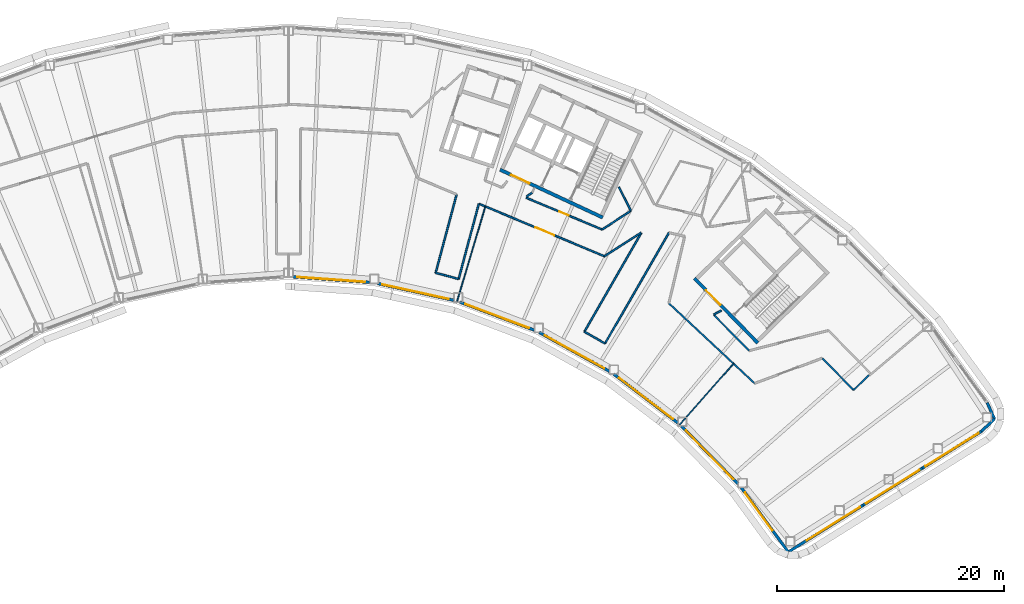
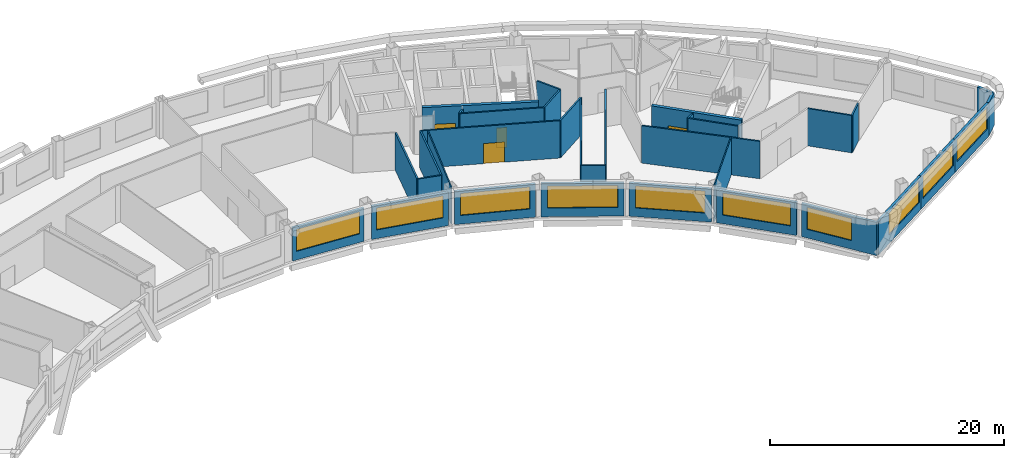
# One storey, part 7 of 16: 33 walls, 10 windows, 4 doors, 14 openings.
"""IFC4 building model written with IfcOpenShell, lengths in metres."""

from ifc_helpers import new_model, si_unit, direction, frame, frame_2d, origin, place, context, subcontext, project, spatial, rectangle, extrude, material, layer, layer_set, type_object, element, fill, save


model = new_model("IFC4")

# Units and contexts
model_context = context("Model", 3, precision=1e-05, world=origin(), true_north=direction((0.0, 1.0)))
body_context = subcontext(model_context, "Body", "Model", "MODEL_VIEW")
ifc_project = project(units=[si_unit("LENGTHUNIT", "METRE"), si_unit("AREAUNIT", "SQUARE_METRE"), si_unit("VOLUMEUNIT", "CUBIC_METRE"), si_unit("PLANEANGLEUNIT", "RADIAN"), si_unit("MASSUNIT", "GRAM", prefix="KILO")], contexts=[model_context])

# Site, building, storey
site_placement = place(None, origin())
site = spatial("IfcSite", under=ifc_project, at=site_placement, CompositionType="ELEMENT")
building_placement = place(site_placement, origin())
building = spatial("IfcBuilding", under=site, at=building_placement, Name="Tuul Gate Civic Tower", CompositionType="ELEMENT")
storey_placement = place(building_placement, frame((0.0, 0.0, 298.39990234375)))
storey = spatial("IfcBuildingStorey", under=building, at=storey_placement, Name="Level 67", CompositionType="ELEMENT", Elevation=298.39990234375)

# Wall, opening, door
ifc_material_1 = material(Name="Concrete C50/60", Category="concrete")
ifc_layer_1 = layer(ifc_material_1, 0.300048828125)
ifc_layer_set_1 = layer_set([ifc_layer_1], Name="Concrete C50/60")
wall_type_1 = type_object("IfcWallType", Name="Core wall C50/60", PredefinedType="SHEAR", material=ifc_layer_set_1)
wall_1_placement = place(storey_placement, frame((48.22509765625, -18.327880859375, 0.0), z_axis=(0.0, 0.0, 1.0), x_axis=(-0.700021979774, 0.714121297703, 0.0)))
wall_1 = element("IfcWall", 1, at=wall_1_placement, inside=storey, type_object=wall_type_1, Name="Core wall", PredefinedType="SHEAR", context=body_context, shape_type="SweptSolid", body=[
    extrude(rectangle(XDim=8.0, YDim=0.300048828125, at=frame_2d((4.0, 0.0))), origin(), (0.0, 0.0, 1.0), 3.900146484375),
])
opening_1_placement = place(wall_1_placement, frame((4.72509765625, 0.0, 0.0)))
opening_1 = element("IfcOpeningElement", 2, at=opening_1_placement, cuts=wall_1, Name="Opening LB-E1-LOBBY-1", PredefinedType="OPENING", context=body_context, shape_type="SweptSolid", body=[
    extrude(rectangle(XDim=1.800048828125, YDim=2.10009765625, at=frame_2d((0.89990234375, 1.050048828125))), frame((0.0, 0.16015625, 0.0), z_axis=(0.0, -1.0, 0.0), x_axis=(1.0, 0.0, 0.0)), (0.0, 0.0, 1.0), 0.320068359375),
])
ifc_material_2 = material(Name="Steel", Category="steel")
door_type_1 = type_object("IfcDoorType", Name="Lobby door", OperationType="DOUBLE_DOOR_SINGLE_SWING", PredefinedType="DOOR", material=ifc_material_2)
door_1_placement = place(opening_1_placement, frame((1.800048828125, 0.0, 0.0), z_axis=(0.0, 0.0, 1.0), x_axis=(-1.0, 0.0, 0.0)))
door_1 = element("IfcDoor", 3, at=door_1_placement, inside=storey, type_object=door_type_1, Name="Lobby door E1-LOBBY", OperationType="DOUBLE_DOOR_SINGLE_SWING", OverallHeight=2.10009765625, OverallWidth=1.800048828125, PredefinedType="DOOR", context=body_context, shape_type="SweptSolid", body=[
    extrude(rectangle(XDim=1.800048828125, YDim=2.10009765625, at=frame_2d((0.900146484375, 1.050048828125))), frame((0.0, 0.02490234375, 0.0), z_axis=(0.0, -1.0, 0.0), x_axis=(1.0, 0.0, 0.0)), (0.0, 0.0, 1.0), 0.050048828125),
])
fill(opening_1, door_1)

wall_2_placement = place(storey_placement, frame((34.5283203125, -7.25, 0.0), z_axis=(0.0, 0.0, 1.0), x_axis=(-0.906310338845, 0.422612789327, 0.0)))
wall_2 = element("IfcWall", 4, at=wall_2_placement, inside=storey, type_object=wall_type_1, Name="Core wall", PredefinedType="SHEAR", context=body_context, shape_type="SweptSolid", body=[
    extrude(rectangle(XDim=9.999755859375, YDim=0.300048828125, at=frame_2d((5.0, 0.0))), origin(), (0.0, 0.0, 1.0), 3.900146484375),
])
opening_2_placement = place(wall_2_placement, frame((7.125, 0.0, 0.0)))
opening_2 = element("IfcOpeningElement", 5, at=opening_2_placement, cuts=wall_2, Name="Opening LB-E3-LOBBY-1", PredefinedType="OPENING", context=body_context, shape_type="SweptSolid", body=[
    extrude(rectangle(XDim=1.800048828125, YDim=2.10009765625, at=frame_2d((0.89990234375, 1.050048828125))), frame((0.0, 0.16015625, 0.0), z_axis=(0.0, -1.0, 0.0), x_axis=(1.0, 0.0, 0.0)), (0.0, 0.0, 1.0), 0.320068359375),
])
door_2_placement = place(opening_2_placement, frame((1.800048828125, 0.0, 0.0), z_axis=(0.0, 0.0, 1.0), x_axis=(-1.0, 0.0, 0.0)))
door_2 = element("IfcDoor", 6, at=door_2_placement, inside=storey, type_object=door_type_1, Name="Lobby door E3-LOBBY", OperationType="DOUBLE_DOOR_SINGLE_SWING", OverallHeight=2.10009765625, OverallWidth=1.800048828125, PredefinedType="DOOR", context=body_context, shape_type="SweptSolid", body=[
    extrude(rectangle(XDim=1.800048828125, YDim=2.10009765625, at=frame_2d((0.900146484375, 1.050048828125))), frame((0.0, 0.02490234375, 0.0), z_axis=(0.0, -1.0, 0.0), x_axis=(1.0, 0.0, 0.0)), (0.0, 0.0, 1.0), 0.050048828125),
])
fill(opening_2, door_2)

# Walls
ifc_material_3 = material(Name="Gypsum board partition")
ifc_layer_2 = layer(ifc_material_3, 0.14990234375)
ifc_layer_set_2 = layer_set([ifc_layer_2], Name="Gypsum board partition")
wall_type_2 = type_object("IfcWallType", Name="Corridor wall P150", PredefinedType="PARTITIONING", material=ifc_layer_set_2)
wall_3_placement = place(storey_placement, frame((56.674072265625, -22.4814453125, 0.0), z_axis=(0.0, 0.0, 1.0), x_axis=(0.714103189213, 0.700040452514, 0.0)))
element("IfcWall", 7, at=wall_3_placement, inside=storey, type_object=wall_type_2, Name="p003", PredefinedType="PARTITIONING", context=body_context, shape_type="SweptSolid", body=[
    extrude(rectangle(XDim=1.892333984375, YDim=0.14990234375, at=frame_2d((0.9462890625, 0.0))), origin(), (0.0, 0.0, 1.0), 3.900146484375),
])
wall_4_placement = place(storey_placement, frame((44.332275390625, -15.8447265625, 0.0), z_axis=(0.0, 0.0, 1.0), x_axis=(0.702796621783, -0.711390826768, 0.0)))
element("IfcWall", 8, at=wall_4_placement, inside=storey, type_object=wall_type_2, Name="p006", PredefinedType="PARTITIONING", context=body_context, shape_type="SweptSolid", body=[
    extrude(rectangle(XDim=4.431640625, YDim=0.14990234375, at=frame_2d((2.2158203125, 0.0))), origin(), (0.0, 0.0, 1.0), 3.900146484375),
])
wall_5_placement = place(storey_placement, frame((44.33740234375, -15.8125, 0.0), z_axis=(0.0, 0.0, 1.0), x_axis=(0.885556049911, 0.464532541881, 0.0)))
element("IfcWall", 9, at=wall_5_placement, inside=storey, type_object=wall_type_2, Name="p007", PredefinedType="PARTITIONING", context=body_context, shape_type="SweptSolid", body=[
    extrude(rectangle(XDim=0.746337890625, YDim=0.14990234375, at=frame_2d((0.373046875, 0.0))), origin(), (0.0, 0.0, 1.0), 3.900146484375),
])

# Wall, opening, door
wall_6_placement = place(storey_placement, frame((27.77685546875, -5.503173828125, 0.0), z_axis=(0.0, 0.0, 1.0), x_axis=(0.922467775917, -0.386074089256, 0.0)))
wall_6 = element("IfcWall", 10, at=wall_6_placement, inside=storey, type_object=wall_type_2, Name="p025", PredefinedType="PARTITIONING", context=body_context, shape_type="SweptSolid", body=[
    extrude(rectangle(XDim=7.246826171875, YDim=0.14990234375, at=frame_2d((3.62353515625, 0.0))), origin(), (0.0, 0.0, 1.0), 3.900146484375),
])
opening_3_placement = place(wall_6_placement, frame((3.173583984375, 0.0, 0.0)))
opening_3 = element("IfcOpeningElement", 11, at=opening_3_placement, cuts=wall_6, Name="Opening Y-D14", PredefinedType="OPENING", context=body_context, shape_type="SweptSolid", body=[
    extrude(rectangle(XDim=0.89990234375, YDim=2.10009765625, at=frame_2d((0.449951171875, 1.050048828125))), frame((0.0, 0.0849609375, 0.0), z_axis=(0.0, -1.0, 0.0), x_axis=(1.0, 0.0, 0.0)), (0.0, 0.0, 1.0), 0.169921875),
])
ifc_material_4 = material(Name="Timber door leaf", Category="wood")
door_type_2 = type_object("IfcDoorType", Name="Door D09", OperationType="NOTDEFINED", PredefinedType="DOOR", material=ifc_material_4)
door_3_placement = place(opening_3_placement, origin())
door_3 = element("IfcDoor", 12, at=door_3_placement, inside=storey, type_object=door_type_2, Name="Door Y-D14", OperationType="SINGLE_SWING_RIGHT", OverallHeight=2.10009765625, OverallWidth=0.89990234375, PredefinedType="DOOR", context=body_context, shape_type="SweptSolid", body=[
    extrude(rectangle(XDim=0.89990234375, YDim=2.10009765625, at=frame_2d((0.449951171875, 1.050048828125))), frame((0.0, 0.02490234375, 0.0), z_axis=(0.0, -1.0, 0.0), x_axis=(1.0, 0.0, 0.0)), (0.0, 0.0, 1.0), 0.050048828125),
])
fill(opening_3, door_3)

# Walls
wall_7_placement = place(storey_placement, frame((21.8134765625, -12.67431640625, 0.0), z_axis=(0.0, 0.0, 1.0), x_axis=(0.258103384911, 0.966117302763, 0.0)))
element("IfcWall", 13, at=wall_7_placement, inside=storey, type_object=wall_type_2, Name="p026", PredefinedType="PARTITIONING", context=body_context, shape_type="SweptSolid", body=[
    extrude(rectangle(XDim=6.860595703125, YDim=0.14990234375, at=frame_2d((3.43017578125, 0.0))), origin(), (0.0, 0.0, 1.0), 3.900146484375),
])
wall_8_placement = place(storey_placement, frame((40.364501953125, -14.81640625, 0.0), z_axis=(0.0, 0.0, 1.0), x_axis=(0.731104600336, -0.682265390715, 0.0)))
element("IfcWall", 14, at=wall_8_placement, inside=storey, type_object=wall_type_2, Name="p049", PredefinedType="PARTITIONING", context=body_context, shape_type="SweptSolid", body=[
    extrude(rectangle(XDim=10.36767578125, YDim=0.14990234375, at=frame_2d((5.183837890625, 0.0))), origin(), (0.0, 0.0, 1.0), 3.900146484375),
])
wall_9_placement = place(storey_placement, frame((53.922119140625, -19.673828125, 0.0), z_axis=(0.0, 0.0, 1.0), x_axis=(0.69999193409, -0.714150748938, 0.0)))
element("IfcWall", 15, at=wall_9_placement, inside=storey, type_object=wall_type_2, Name="p051", PredefinedType="PARTITIONING", context=body_context, shape_type="SweptSolid", body=[
    extrude(rectangle(XDim=3.931396484375, YDim=0.14990234375, at=frame_2d((1.9658203125, 0.0))), origin(), (0.0, 0.0, 1.0), 3.900146484375),
])

# Wall, opening, door
wall_10_placement = place(storey_placement, frame((23.6083984375, -6.03515625, 0.0), z_axis=(0.0, 0.0, 1.0), x_axis=(0.922457832643, -0.3860978464, 0.0)))
wall_10 = element("IfcWall", 16, at=wall_10_placement, inside=storey, type_object=wall_type_2, Name="p054", PredefinedType="PARTITIONING", context=body_context, shape_type="SweptSolid", body=[
    extrude(rectangle(XDim=12.00537109375, YDim=0.14990234375, at=frame_2d((6.002685546875, 0.0))), origin(), (0.0, 0.0, 1.0), 3.900146484375),
])
opening_4_placement = place(wall_10_placement, frame((5.40478515625, 0.0, 0.0)))
opening_4 = element("IfcOpeningElement", 17, at=opening_4_placement, cuts=wall_10, Name="Opening Y-D08", PredefinedType="OPENING", context=body_context, shape_type="SweptSolid", body=[
    extrude(rectangle(XDim=1.800048828125, YDim=2.10009765625, at=frame_2d((0.89990234375, 1.050048828125))), frame((0.0, 0.0849609375, 0.0), z_axis=(0.0, -1.0, 0.0), x_axis=(1.0, 0.0, 0.0)), (0.0, 0.0, 1.0), 0.169921875),
])
ifc_material_5 = material(Name="Timber door leaf, double", Category="wood")
door_type_3 = type_object("IfcDoorType", Name="Door D18", OperationType="DOUBLE_DOOR_SINGLE_SWING", PredefinedType="DOOR", material=ifc_material_5)
door_4_placement = place(opening_4_placement, frame((1.800048828125, 0.0, 0.0), z_axis=(0.0, 0.0, 1.0), x_axis=(-1.0, 0.0, 0.0)))
door_4 = element("IfcDoor", 18, at=door_4_placement, inside=storey, type_object=door_type_3, Name="Door Y-D08", OperationType="DOUBLE_DOOR_SINGLE_SWING", OverallHeight=2.10009765625, OverallWidth=1.800048828125, PredefinedType="DOOR", context=body_context, shape_type="SweptSolid", body=[
    extrude(rectangle(XDim=1.800048828125, YDim=2.10009765625, at=frame_2d((0.900146484375, 1.050048828125))), frame((0.0, 0.02490234375, 0.0), z_axis=(0.0, -1.0, 0.0), x_axis=(1.0, 0.0, 0.0)), (0.0, 0.0, 1.0), 0.050048828125),
])
fill(opening_4, door_4)

# Walls
wall_11_placement = place(storey_placement, frame((34.682861328125, -10.67041015625, 0.0), z_axis=(0.0, 0.0, 1.0), x_axis=(0.83959569175, 0.543211813563, 0.0)))
element("IfcWall", 19, at=wall_11_placement, inside=storey, type_object=wall_type_2, Name="p055", PredefinedType="PARTITIONING", context=body_context, shape_type="SweptSolid", body=[
    extrude(rectangle(XDim=3.84765625, YDim=0.14990234375, at=frame_2d((1.923828125, 0.0))), origin(), (0.0, 0.0, 1.0), 3.900146484375),
])
wall_12_placement = place(storey_placement, frame((32.91064453125, -17.321533203125, 0.0), z_axis=(0.0, 0.0, 1.0), x_axis=(0.500011588718, 0.866018712932, 0.0)))
element("IfcWall", 20, at=wall_12_placement, inside=storey, type_object=wall_type_2, Name="p056", PredefinedType="PARTITIONING", context=body_context, shape_type="SweptSolid", body=[
    extrude(rectangle(XDim=10.062255859375, YDim=0.14990234375, at=frame_2d((5.03125, 0.0))), origin(), (0.0, 0.0, 1.0), 3.900146484375),
])
wall_13_placement = place(storey_placement, frame((32.91064453125, -17.321533203125, 0.0), z_axis=(0.0, 0.0, 1.0), x_axis=(0.866009402589, -0.500027713859, 0.0)))
element("IfcWall", 21, at=wall_13_placement, inside=storey, type_object=wall_type_2, Name="p057", PredefinedType="PARTITIONING", context=body_context, shape_type="SweptSolid", body=[
    extrude(rectangle(XDim=2.10009765625, YDim=0.14990234375, at=frame_2d((1.050048828125, 0.0))), origin(), (0.0, 0.0, 1.0), 3.900146484375),
])
wall_14_placement = place(storey_placement, frame((34.729248046875, -18.37158203125, 0.0), z_axis=(0.0, 0.0, 1.0), x_axis=(0.500001973998, 0.866024264093, 0.0)))
element("IfcWall", 22, at=wall_14_placement, inside=storey, type_object=wall_type_2, Name="p058", PredefinedType="PARTITIONING", context=body_context, shape_type="SweptSolid", body=[
    extrude(rectangle(XDim=11.29052734375, YDim=0.14990234375, at=frame_2d((5.645263671875, 0.0))), origin(), (0.0, 0.0, 1.0), 3.900146484375),
])
wall_15_placement = place(storey_placement, frame((19.778564453125, -12.129150390625, 0.0), z_axis=(0.0, 0.0, 1.0), x_axis=(0.258825441171, 0.965924112445, 0.0)))
element("IfcWall", 23, at=wall_15_placement, inside=storey, type_object=wall_type_2, Name="p064", PredefinedType="PARTITIONING", context=body_context, shape_type="SweptSolid", body=[
    extrude(rectangle(XDim=7.147216796875, YDim=0.14990234375, at=frame_2d((3.57373046875, 0.0))), origin(), (0.0, 0.0, 1.0), 3.900146484375),
])
wall_16_placement = place(storey_placement, frame((19.778564453125, -12.129150390625, 0.0), z_axis=(0.0, 0.0, 1.0), x_axis=(0.965937155273, -0.258776761059, 0.0)))
element("IfcWall", 24, at=wall_16_placement, inside=storey, type_object=wall_type_2, Name="p065", PredefinedType="PARTITIONING", context=body_context, shape_type="SweptSolid", body=[
    extrude(rectangle(XDim=2.10009765625, YDim=0.14990234375, at=frame_2d((1.050048828125, 0.0))), origin(), (0.0, 0.0, 1.0), 3.900146484375),
])
wall_17_placement = place(storey_placement, frame((35.94970703125, -4.557861328125, 0.0), z_axis=(0.0, 0.0, 1.0), x_axis=(0.453925781419, -0.891039496859, 0.0)))
element("IfcWall", 25, at=wall_17_placement, inside=storey, type_object=wall_type_2, Name="p088", PredefinedType="PARTITIONING", context=body_context, shape_type="SweptSolid", body=[
    extrude(rectangle(XDim=2.337890625, YDim=0.14990234375, at=frame_2d((1.1689453125, 0.0))), origin(), (0.0, 0.0, 1.0), 3.900146484375),
])
wall_18_placement = place(storey_placement, frame((34.481201171875, -8.299560546875, 0.0), z_axis=(0.0, 0.0, 1.0), x_axis=(0.839622479522, 0.543170407774, 0.0)))
element("IfcWall", 26, at=wall_18_placement, inside=storey, type_object=wall_type_2, Name="p089", PredefinedType="PARTITIONING", context=body_context, shape_type="SweptSolid", body=[
    extrude(rectangle(XDim=3.00439453125, YDim=0.14990234375, at=frame_2d((1.502197265625, 0.0))), origin(), (0.0, 0.0, 1.0), 3.900146484375),
])
wall_19_placement = place(storey_placement, frame((27.80029296875, -5.403564453125, 0.0), z_axis=(0.0, 0.0, 1.0), x_axis=(0.823307729959, 0.567595262304, 0.0)))
element("IfcWall", 27, at=wall_19_placement, inside=storey, type_object=wall_type_2, Name="p090", PredefinedType="PARTITIONING", context=body_context, shape_type="SweptSolid", body=[
    extrude(rectangle(XDim=0.62158203125, YDim=0.14990234375, at=frame_2d((0.310791015625, 0.0))), origin(), (0.0, 0.0, 1.0), 3.900146484375),
])
ifc_material_6 = material(Name="Precast concrete C40/50", Category="concrete")
ifc_layer_3 = layer(ifc_material_6, 0.25)
ifc_layer_set_3 = layer_set([ifc_layer_3], Name="Precast concrete C40/50")
wall_type_3 = type_object("IfcWallType", Name="External wall", PredefinedType="STANDARD", material=ifc_layer_set_3)
wall_20_placement = place(storey_placement, frame((67.978515625, -26.109619140625, 0.0), z_axis=(0.0, 0.0, 1.0), x_axis=(0.722172557321, 0.691712944402, 0.0)))
element("IfcWall", 28, at=wall_20_placement, inside=storey, type_object=wall_type_3, Name="External wall", PredefinedType="STANDARD", context=body_context, shape_type="SweptSolid", body=[
    extrude(rectangle(XDim=1.571044921875, YDim=0.25, at=frame_2d((0.78564453125, 0.0))), origin(), (0.0, 0.0, 1.0), 3.4501953125),
])
wall_21_placement = place(storey_placement, frame((69.113037109375, -25.02294921875, 0.0), z_axis=(0.0, 0.0, 1.0), x_axis=(-0.412385905797, 0.9110092561, 0.0)))
element("IfcWall", 29, at=wall_21_placement, inside=storey, type_object=wall_type_3, Name="External wall", PredefinedType="STANDARD", context=body_context, shape_type="SweptSolid", body=[
    extrude(rectangle(XDim=1.5712890625, YDim=0.25, at=frame_2d((0.78564453125, 0.0))), origin(), (0.0, 0.0, 1.0), 3.4501953125),
])

# Wall, opening, window
wall_22_placement = place(storey_placement, frame((7.18798828125, -12.478759765625, 0.0), z_axis=(0.0, 0.0, 1.0), x_axis=(0.997384795983, -0.072274260578, 0.0)))
wall_22 = element("IfcWall", 30, at=wall_22_placement, inside=storey, type_object=wall_type_3, Name="External wall", PredefinedType="STANDARD", context=body_context, shape_type="SweptSolid", body=[
    extrude(rectangle(XDim=6.789794921875, YDim=0.25, at=frame_2d((3.39501953125, 0.0))), origin(), (0.0, 0.0, 1.0), 3.4501953125),
])
opening_5_placement = place(wall_22_placement, frame((0.371337890625, 0.0, 0.89990234375)))
opening_5 = element("IfcOpeningElement", 31, at=opening_5_placement, cuts=wall_22, Name="Opening W26", PredefinedType="OPENING", context=body_context, shape_type="SweptSolid", body=[
    extrude(rectangle(XDim=6.0, YDim=2.300048828125, at=frame_2d((3.0, 1.14990234375))), frame((0.0, 0.135009765625, 0.0), z_axis=(0.0, -1.0, 0.0), x_axis=(1.0, 0.0, 0.0)), (0.0, 0.0, 1.0), 0.27001953125),
])
ifc_material_7 = material(Name="Glass", Category="glass")
window_type_1 = type_object("IfcWindowType", Name="Window W26 6000 x 2300", PartitioningType="SINGLE_PANEL", PredefinedType="WINDOW", material=ifc_material_7)
window_1_placement = place(opening_5_placement, origin())
window_1 = element("IfcWindow", 32, at=window_1_placement, inside=storey, type_object=window_type_1, Name="Window", OverallHeight=2.300048828125, OverallWidth=6.0, PartitioningType="SINGLE_PANEL", PredefinedType="WINDOW", context=body_context, shape_type="SweptSolid", body=[
    extrude(rectangle(XDim=6.0, YDim=2.300048828125, at=frame_2d((3.0, 1.14990234375))), frame((0.0, 0.030029296875, 0.0), z_axis=(0.0, -1.0, 0.0), x_axis=(1.0, 0.0, 0.0)), (0.0, 0.0, 1.0), 0.06005859375),
])
fill(opening_5, window_1)

wall_23_placement = place(storey_placement, frame((14.6669921875, -13.072998046875, 0.0), z_axis=(0.0, 0.0, 1.0), x_axis=(0.976561146318, -0.215240162382, 0.0)))
wall_23 = element("IfcWall", 33, at=wall_23_placement, inside=storey, type_object=wall_type_3, Name="External wall", PredefinedType="STANDARD", context=body_context, shape_type="SweptSolid", body=[
    extrude(rectangle(XDim=6.867919921875, YDim=0.25, at=frame_2d((3.43408203125, 0.0))), origin(), (0.0, 0.0, 1.0), 3.4501953125),
])
opening_6_placement = place(wall_23_placement, frame((0.409912109375, 0.0, 0.89990234375)))
opening_6 = element("IfcOpeningElement", 34, at=opening_6_placement, cuts=wall_23, Name="Opening W26", PredefinedType="OPENING", context=body_context, shape_type="SweptSolid", body=[
    extrude(rectangle(XDim=6.0, YDim=2.300048828125, at=frame_2d((3.0, 1.14990234375))), frame((0.0, 0.135009765625, 0.0), z_axis=(0.0, -1.0, 0.0), x_axis=(1.0, 0.0, 0.0)), (0.0, 0.0, 1.0), 0.27001953125),
])
window_2_placement = place(opening_6_placement, origin())
window_2 = element("IfcWindow", 35, at=window_2_placement, inside=storey, type_object=window_type_1, Name="Window", OverallHeight=2.300048828125, OverallWidth=6.0, PartitioningType="SINGLE_PANEL", PredefinedType="WINDOW", context=body_context, shape_type="SweptSolid", body=[
    extrude(rectangle(XDim=6.0, YDim=2.300048828125, at=frame_2d((3.0, 1.14990234375))), frame((0.0, 0.030029296875, 0.0), z_axis=(0.0, -1.0, 0.0), x_axis=(1.0, 0.0, 0.0)), (0.0, 0.0, 1.0), 0.06005859375),
])
fill(opening_6, window_2)

wall_24_placement = place(storey_placement, frame((21.913818359375, -14.70703125, 0.0), z_axis=(0.0, 0.0, 1.0), x_axis=(0.93536593895, -0.353681438943, 0.0)))
wall_24 = element("IfcWall", 36, at=wall_24_placement, inside=storey, type_object=wall_type_3, Name="External wall", PredefinedType="STANDARD", context=body_context, shape_type="SweptSolid", body=[
    extrude(rectangle(XDim=7.0146484375, YDim=0.25, at=frame_2d((3.50732421875, 0.0))), origin(), (0.0, 0.0, 1.0), 3.4501953125),
])
opening_7_placement = place(wall_24_placement, frame((0.523193359375, 0.0, 0.89990234375)))
opening_7 = element("IfcOpeningElement", 37, at=opening_7_placement, cuts=wall_24, Name="Opening W26", PredefinedType="OPENING", context=body_context, shape_type="SweptSolid", body=[
    extrude(rectangle(XDim=6.0, YDim=2.300048828125, at=frame_2d((3.0, 1.14990234375))), frame((0.0, 0.135009765625, 0.0), z_axis=(0.0, -1.0, 0.0), x_axis=(1.0, 0.0, 0.0)), (0.0, 0.0, 1.0), 0.27001953125),
])
window_3_placement = place(opening_7_placement, origin())
window_3 = element("IfcWindow", 38, at=window_3_placement, inside=storey, type_object=window_type_1, Name="Window", OverallHeight=2.300048828125, OverallWidth=6.0, PartitioningType="SINGLE_PANEL", PredefinedType="WINDOW", context=body_context, shape_type="SweptSolid", body=[
    extrude(rectangle(XDim=6.0, YDim=2.300048828125, at=frame_2d((3.0, 1.14990234375))), frame((0.0, 0.030029296875, 0.0), z_axis=(0.0, -1.0, 0.0), x_axis=(1.0, 0.0, 0.0)), (0.0, 0.0, 1.0), 0.06005859375),
])
fill(opening_7, window_3)

wall_25_placement = place(storey_placement, frame((28.926513671875, -17.39208984375, 0.0), z_axis=(0.0, 0.0, 1.0), x_axis=(0.874628863521, -0.484793101328, 0.0)))
wall_25 = element("IfcWall", 39, at=wall_25_placement, inside=storey, type_object=wall_type_3, Name="External wall", PredefinedType="STANDARD", context=body_context, shape_type="SweptSolid", body=[
    extrude(rectangle(XDim=7.075439453125, YDim=0.25, at=frame_2d((3.53759765625, 0.0))), origin(), (0.0, 0.0, 1.0), 3.4501953125),
])
opening_8_placement = place(wall_25_placement, frame((0.556396484375, 0.0, 0.89990234375)))
opening_8 = element("IfcOpeningElement", 40, at=opening_8_placement, cuts=wall_25, Name="Opening W26", PredefinedType="OPENING", context=body_context, shape_type="SweptSolid", body=[
    extrude(rectangle(XDim=6.0, YDim=2.300048828125, at=frame_2d((3.0, 1.14990234375))), frame((0.0, 0.135009765625, 0.0), z_axis=(0.0, -1.0, 0.0), x_axis=(1.0, 0.0, 0.0)), (0.0, 0.0, 1.0), 0.27001953125),
])
window_4_placement = place(opening_8_placement, origin())
window_4 = element("IfcWindow", 41, at=window_4_placement, inside=storey, type_object=window_type_1, Name="Window", OverallHeight=2.300048828125, OverallWidth=6.0, PartitioningType="SINGLE_PANEL", PredefinedType="WINDOW", context=body_context, shape_type="SweptSolid", body=[
    extrude(rectangle(XDim=6.0, YDim=2.300048828125, at=frame_2d((3.0, 1.14990234375))), frame((0.0, 0.030029296875, 0.0), z_axis=(0.0, -1.0, 0.0), x_axis=(1.0, 0.0, 0.0)), (0.0, 0.0, 1.0), 0.06005859375),
])
fill(opening_8, window_4)

wall_26_placement = place(storey_placement, frame((35.503173828125, -21.072021484375, 0.0), z_axis=(0.0, 0.0, 1.0), x_axis=(0.795582375141, -0.605845429433, 0.0)))
wall_26 = element("IfcWall", 42, at=wall_26_placement, inside=storey, type_object=wall_type_3, Name="External wall", PredefinedType="STANDARD", context=body_context, shape_type="SweptSolid", body=[
    extrude(rectangle(XDim=7.10400390625, YDim=0.25, at=frame_2d((3.552001953125, 0.0))), origin(), (0.0, 0.0, 1.0), 3.4501953125),
])
opening_9_placement = place(wall_26_placement, frame((0.562744140625, 0.0, 0.89990234375)))
opening_9 = element("IfcOpeningElement", 43, at=opening_9_placement, cuts=wall_26, Name="Opening W26", PredefinedType="OPENING", context=body_context, shape_type="SweptSolid", body=[
    extrude(rectangle(XDim=6.0, YDim=2.300048828125, at=frame_2d((3.0, 1.14990234375))), frame((0.0, 0.135009765625, 0.0), z_axis=(0.0, -1.0, 0.0), x_axis=(1.0, 0.0, 0.0)), (0.0, 0.0, 1.0), 0.27001953125),
])
window_5_placement = place(opening_9_placement, origin())
window_5 = element("IfcWindow", 44, at=window_5_placement, inside=storey, type_object=window_type_1, Name="Window", OverallHeight=2.300048828125, OverallWidth=6.0, PartitioningType="SINGLE_PANEL", PredefinedType="WINDOW", context=body_context, shape_type="SweptSolid", body=[
    extrude(rectangle(XDim=6.0, YDim=2.300048828125, at=frame_2d((3.0, 1.14990234375))), frame((0.0, 0.030029296875, 0.0), z_axis=(0.0, -1.0, 0.0), x_axis=(1.0, 0.0, 0.0)), (0.0, 0.0, 1.0), 0.06005859375),
])
fill(opening_9, window_5)

wall_27_placement = place(storey_placement, frame((41.49072265625, -25.6708984375, 0.0), z_axis=(0.0, 0.0, 1.0), x_axis=(0.700033997015, -0.714109517528, 0.0)))
wall_27 = element("IfcWall", 45, at=wall_27_placement, inside=storey, type_object=wall_type_3, Name="External wall", PredefinedType="STANDARD", context=body_context, shape_type="SweptSolid", body=[
    extrude(rectangle(XDim=7.111572265625, YDim=0.25, at=frame_2d((3.5556640625, 0.0))), origin(), (0.0, 0.0, 1.0), 3.4501953125),
])
opening_10_placement = place(wall_27_placement, frame((0.555419921875, 0.0, 0.89990234375)))
opening_10 = element("IfcOpeningElement", 46, at=opening_10_placement, cuts=wall_27, Name="Opening W26", PredefinedType="OPENING", context=body_context, shape_type="SweptSolid", body=[
    extrude(rectangle(XDim=6.0, YDim=2.300048828125, at=frame_2d((3.0, 1.14990234375))), frame((0.0, 0.135009765625, 0.0), z_axis=(0.0, -1.0, 0.0), x_axis=(1.0, 0.0, 0.0)), (0.0, 0.0, 1.0), 0.27001953125),
])
window_6_placement = place(opening_10_placement, origin())
window_6 = element("IfcWindow", 47, at=window_6_placement, inside=storey, type_object=window_type_1, Name="Window", OverallHeight=2.300048828125, OverallWidth=6.0, PartitioningType="SINGLE_PANEL", PredefinedType="WINDOW", context=body_context, shape_type="SweptSolid", body=[
    extrude(rectangle(XDim=6.0, YDim=2.300048828125, at=frame_2d((3.0, 1.14990234375))), frame((0.0, 0.030029296875, 0.0), z_axis=(0.0, -1.0, 0.0), x_axis=(1.0, 0.0, 0.0)), (0.0, 0.0, 1.0), 0.06005859375),
])
fill(opening_10, window_6)

wall_28_placement = place(storey_placement, frame((46.7587890625, -31.093017578125, 0.0), z_axis=(0.0, 0.0, 1.0), x_axis=(0.589839929294, -0.807520190343, 0.0)))
wall_28 = element("IfcWall", 48, at=wall_28_placement, inside=storey, type_object=wall_type_3, Name="External wall", PredefinedType="STANDARD", context=body_context, shape_type="SweptSolid", body=[
    extrude(rectangle(XDim=7.034423828125, YDim=0.25, at=frame_2d((3.51708984375, 0.0))), origin(), (0.0, 0.0, 1.0), 3.4501953125),
])
opening_11_placement = place(wall_28_placement, frame((0.52783203125, 0.0, 0.89990234375)))
opening_11 = element("IfcOpeningElement", 49, at=opening_11_placement, cuts=wall_28, Name="Opening W25", PredefinedType="OPENING", context=body_context, shape_type="SweptSolid", body=[
    extrude(rectangle(XDim=4.14990234375, YDim=2.300048828125, at=frame_2d((2.074951171875, 1.14990234375))), frame((0.0, 0.135009765625, 0.0), z_axis=(0.0, -1.0, 0.0), x_axis=(1.0, 0.0, 0.0)), (0.0, 0.0, 1.0), 0.27001953125),
])
ifc_material_8 = material(Name="Glass", Category="glass")
window_type_2 = type_object("IfcWindowType", Name="Window W25 4150 x 2300", PartitioningType="SINGLE_PANEL", PredefinedType="WINDOW", material=ifc_material_8)
window_7_placement = place(opening_11_placement, origin())
window_7 = element("IfcWindow", 50, at=window_7_placement, inside=storey, type_object=window_type_2, Name="Window", OverallHeight=2.300048828125, OverallWidth=4.14990234375, PartitioningType="SINGLE_PANEL", PredefinedType="WINDOW", context=body_context, shape_type="SweptSolid", body=[
    extrude(rectangle(XDim=4.14990234375, YDim=2.300048828125, at=frame_2d((2.074951171875, 1.14990234375))), frame((0.0, 0.030029296875, 0.0), z_axis=(0.0, -1.0, 0.0), x_axis=(1.0, 0.0, 0.0)), (0.0, 0.0, 1.0), 0.06005859375),
])
fill(opening_11, window_7)

wall_29_placement = place(storey_placement, frame((50.907958984375, -36.7734375, 0.0), z_axis=(0.0, 0.0, 1.0), x_axis=(0.848052898081, 0.529911579471, 0.0)))
wall_29 = element("IfcWall", 51, at=wall_29_placement, inside=storey, type_object=wall_type_3, Name="External wall", PredefinedType="STANDARD", context=body_context, shape_type="SweptSolid", body=[
    extrude(rectangle(XDim=7.78759765625, YDim=0.25, at=frame_2d((3.893798828125, 0.0))), origin(), (0.0, 0.0, 1.0), 3.4501953125),
])
opening_12_placement = place(wall_29_placement, frame((1.921142578125, 0.0, 0.89990234375)))
opening_12 = element("IfcOpeningElement", 52, at=opening_12_placement, cuts=wall_29, Name="Opening W24", PredefinedType="OPENING", context=body_context, shape_type="SweptSolid", body=[
    extrude(rectangle(XDim=5.550048828125, YDim=2.300048828125, at=frame_2d((2.77490234375, 1.14990234375))), frame((0.0, 0.135009765625, 0.0), z_axis=(0.0, -1.0, 0.0), x_axis=(1.0, 0.0, 0.0)), (0.0, 0.0, 1.0), 0.27001953125),
])
ifc_material_9 = material(Name="Glass", Category="glass")
window_type_3 = type_object("IfcWindowType", Name="Window W24 5550 x 2300", PartitioningType="SINGLE_PANEL", PredefinedType="WINDOW", material=ifc_material_9)
window_8_placement = place(opening_12_placement, origin())
window_8 = element("IfcWindow", 53, at=window_8_placement, inside=storey, type_object=window_type_3, Name="Window", OverallHeight=2.300048828125, OverallWidth=5.550048828125, PartitioningType="SINGLE_PANEL", PredefinedType="WINDOW", context=body_context, shape_type="SweptSolid", body=[
    extrude(rectangle(XDim=5.550048828125, YDim=2.300048828125, at=frame_2d((2.77490234375, 1.14990234375))), frame((0.0, 0.030029296875, 0.0), z_axis=(0.0, -1.0, 0.0), x_axis=(1.0, 0.0, 0.0)), (0.0, 0.0, 1.0), 0.06005859375),
])
fill(opening_12, window_8)

wall_30_placement = place(storey_placement, frame((57.51220703125, -32.646728515625, 0.0), z_axis=(0.0, 0.0, 1.0), x_axis=(0.848042669488, 0.529927948619, 0.0)))
wall_30 = element("IfcWall", 54, at=wall_30_placement, inside=storey, type_object=wall_type_3, Name="External wall", PredefinedType="STANDARD", context=body_context, shape_type="SweptSolid", body=[
    extrude(rectangle(XDim=6.1826171875, YDim=0.25, at=frame_2d((3.09130859375, 0.0))), origin(), (0.0, 0.0, 1.0), 3.4501953125),
])
opening_13_placement = place(wall_30_placement, frame((0.31640625, 0.0, 0.89990234375)))
opening_13 = element("IfcOpeningElement", 55, at=opening_13_placement, cuts=wall_30, Name="Opening W24", PredefinedType="OPENING", context=body_context, shape_type="SweptSolid", body=[
    extrude(rectangle(XDim=5.550048828125, YDim=2.300048828125, at=frame_2d((2.77490234375, 1.14990234375))), frame((0.0, 0.135009765625, 0.0), z_axis=(0.0, -1.0, 0.0), x_axis=(1.0, 0.0, 0.0)), (0.0, 0.0, 1.0), 0.27001953125),
])
window_9_placement = place(opening_13_placement, origin())
window_9 = element("IfcWindow", 56, at=window_9_placement, inside=storey, type_object=window_type_3, Name="Window", OverallHeight=2.300048828125, OverallWidth=5.550048828125, PartitioningType="SINGLE_PANEL", PredefinedType="WINDOW", context=body_context, shape_type="SweptSolid", body=[
    extrude(rectangle(XDim=5.550048828125, YDim=2.300048828125, at=frame_2d((2.77490234375, 1.14990234375))), frame((0.0, 0.030029296875, 0.0), z_axis=(0.0, -1.0, 0.0), x_axis=(1.0, 0.0, 0.0)), (0.0, 0.0, 1.0), 0.06005859375),
])
fill(opening_13, window_9)

wall_31_placement = place(storey_placement, frame((62.75537109375, -29.370361328125, 0.0), z_axis=(0.0, 0.0, 1.0), x_axis=(0.848053758074, 0.529910203164, 0.0)))
wall_31 = element("IfcWall", 57, at=wall_31_placement, inside=storey, type_object=wall_type_3, Name="External wall", PredefinedType="STANDARD", context=body_context, shape_type="SweptSolid", body=[
    extrude(rectangle(XDim=6.182861328125, YDim=0.25, at=frame_2d((3.09130859375, 0.0))), origin(), (0.0, 0.0, 1.0), 3.4501953125),
])
opening_14_placement = place(wall_31_placement, frame((0.31640625, 0.0, 0.89990234375)))
opening_14 = element("IfcOpeningElement", 58, at=opening_14_placement, cuts=wall_31, Name="Opening W24", PredefinedType="OPENING", context=body_context, shape_type="SweptSolid", body=[
    extrude(rectangle(XDim=5.550048828125, YDim=2.300048828125, at=frame_2d((2.77490234375, 1.14990234375))), frame((0.0, 0.135009765625, 0.0), z_axis=(0.0, -1.0, 0.0), x_axis=(1.0, 0.0, 0.0)), (0.0, 0.0, 1.0), 0.27001953125),
])
window_10_placement = place(opening_14_placement, origin())
window_10 = element("IfcWindow", 59, at=window_10_placement, inside=storey, type_object=window_type_3, Name="Window", OverallHeight=2.300048828125, OverallWidth=5.550048828125, PartitioningType="SINGLE_PANEL", PredefinedType="WINDOW", context=body_context, shape_type="SweptSolid", body=[
    extrude(rectangle(XDim=5.550048828125, YDim=2.300048828125, at=frame_2d((2.77490234375, 1.14990234375))), frame((0.0, 0.030029296875, 0.0), z_axis=(0.0, -1.0, 0.0), x_axis=(1.0, 0.0, 0.0)), (0.0, 0.0, 1.0), 0.06005859375),
])
fill(opening_14, window_10)

# Walls
ifc_material_10 = material(Name="Gypsum board partition")
ifc_layer_4 = layer(ifc_material_10, 0.10009765625)
ifc_layer_set_4 = layer_set([ifc_layer_4], Name="Gypsum board partition")
wall_type_4 = type_object("IfcWallType", Name="Partition P100", PredefinedType="PARTITIONING", material=ifc_layer_set_4)
wall_32_placement = place(storey_placement, frame((41.335693359375, -25.52001953125, 0.0), z_axis=(0.0, 0.0, 1.0), x_axis=(0.661661076471, 0.749803054063, 0.0)))
element("IfcWall", 60, at=wall_32_placement, inside=storey, type_object=wall_type_4, Name="p048", PredefinedType="PARTITIONING", context=body_context, shape_type="SweptSolid", body=[
    extrude(rectangle(XDim=7.16552734375, YDim=0.10009765625, at=frame_2d((3.582763671875, 0.0))), origin(), (0.0, 0.0, 1.0), 3.900146484375),
])
wall_33_placement = place(storey_placement, frame((21.679443359375, -14.623779296875, 0.0), z_axis=(0.0, 0.0, 1.0), x_axis=(0.285209491324, 0.958465203364, 0.0)))
element("IfcWall", 61, at=wall_33_placement, inside=storey, type_object=wall_type_4, Name="p052", PredefinedType="PARTITIONING", context=body_context, shape_type="SweptSolid", body=[
    extrude(rectangle(XDim=8.717529296875, YDim=0.10009765625, at=frame_2d((4.35888671875, 0.0))), origin(), (0.0, 0.0, 1.0), 3.900146484375),
])

save(model, "model.ifc")
